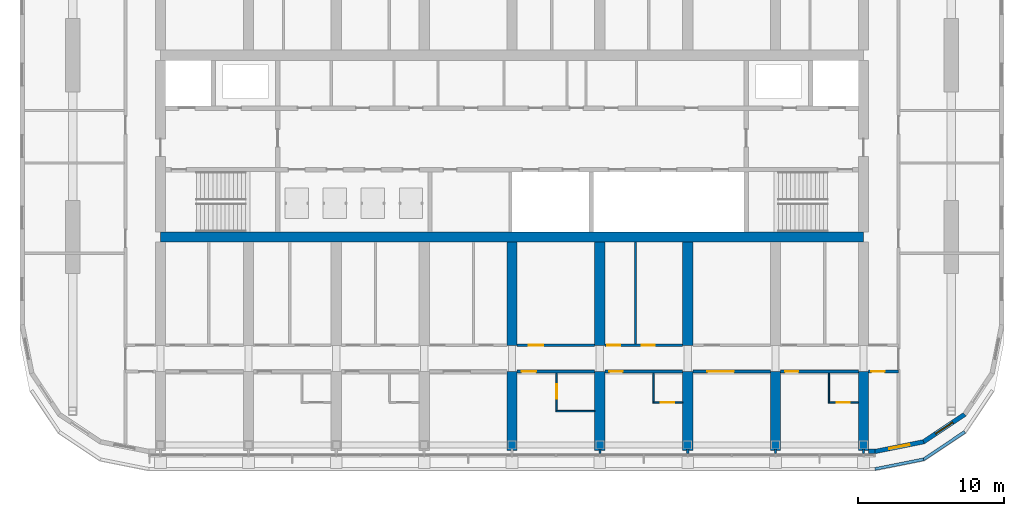
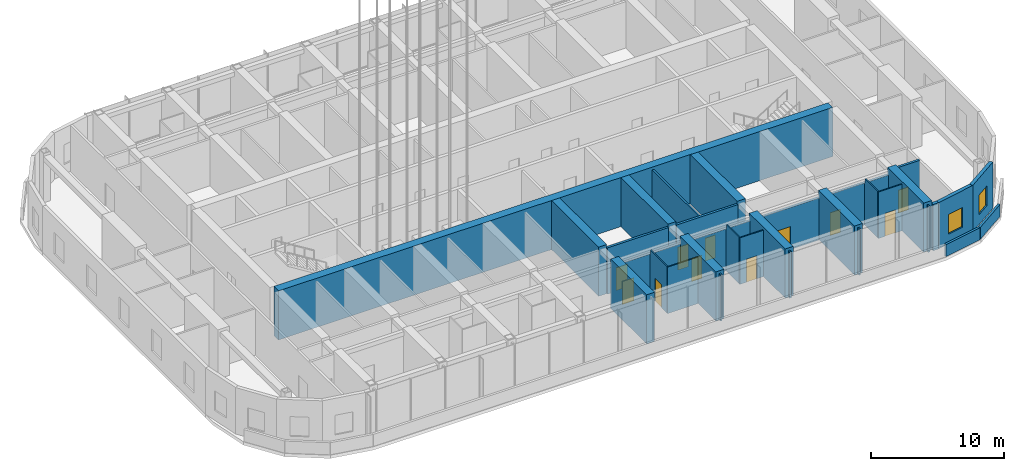
# One storey, part 16 of 35: 32 walls, 11 doors, 2 windows, 13 openings.
"""IFC4 building model written with IfcOpenShell, lengths in metres."""

from ifc_helpers import new_model, si_unit, direction, frame, frame_2d, origin, place, context, subcontext, project, spatial, polyline, rectangle, outline, extrude, material, layer, layer_set, type_object, element, fill, save


model = new_model("IFC4")

# Units and contexts
model_context = context("Model", 3, precision=1e-05, world=origin(), true_north=direction((0.0, 1.0)))
body_context = subcontext(model_context, "Body", "Model", "MODEL_VIEW")
ifc_project = project(units=[si_unit("LENGTHUNIT", "METRE"), si_unit("AREAUNIT", "SQUARE_METRE"), si_unit("VOLUMEUNIT", "CUBIC_METRE"), si_unit("PLANEANGLEUNIT", "RADIAN"), si_unit("MASSUNIT", "GRAM", prefix="KILO")], contexts=[model_context])

# Site, building, storey
site_placement = place(None, origin())
site = spatial("IfcSite", under=ifc_project, at=site_placement, CompositionType="ELEMENT")
building_placement = place(site_placement, origin())
building = spatial("IfcBuilding", under=site, at=building_placement, Name="Orbita Commons", CompositionType="ELEMENT")
storey_placement = place(building_placement, frame((0.0, 0.0, 208.300048828125)))
storey = spatial("IfcBuildingStorey", under=building, at=storey_placement, Name="L51", CompositionType="ELEMENT", Elevation=208.300048828125)

# Wall
ifc_material_1 = material(Name="Concrete C50/60", Category="concrete")
ifc_layer_1 = layer(ifc_material_1, 0.699951171875)
ifc_layer_set_1 = layer_set([ifc_layer_1], Name="Concrete C50/60")
wall_type_1 = type_object("IfcWallType", Name="Core wall 700 C50/60", PredefinedType="SHEAR", material=ifc_layer_set_1)
wall_1_placement = place(storey_placement, frame((18.0, 25.800048828125, 0.0), z_axis=(0.0, 0.0, 1.0), x_axis=(1.0, 0.0, 0.0)))
element("IfcWall", 1, at=wall_1_placement, inside=storey, type_object=wall_type_1, Name="Core spine wall south L51", PredefinedType="SHEAR", context=body_context, shape_type="SweptSolid", body=[
    extrude(rectangle(XDim=48.0, YDim=0.699951171875, at=frame_2d((24.0, 0.0))), origin(), (0.0, 0.0, 1.0), 4.5),
])

# Wall, opening, door
ifc_material_2 = material(Name="Concrete blockwork", Category="masonry")
ifc_layer_2 = layer(ifc_material_2, 0.199951171875)
ifc_layer_set_2 = layer_set([ifc_layer_2], Name="Concrete blockwork")
wall_type_2 = type_object("IfcWallType", Name="Corridor wall 200 blockwork", PredefinedType="SOLIDWALL", material=ifc_layer_set_2)
wall_2_placement = place(storey_placement, frame((42.35009765625, 16.60009765625, 0.0), z_axis=(0.0, 0.0, 1.0), x_axis=(1.0, 0.0, 0.0)))
wall_2 = element("IfcWall", 2, at=wall_2_placement, inside=storey, type_object=wall_type_2, Name="Corridor wall 200 blockwork L51", PredefinedType="SOLIDWALL", context=body_context, shape_type="SweptSolid", body=[
    extrude(outline(polyline([(0.0, 0.0), (5.2998046875, 0.0), (5.300048828125, 3.849853515625), (0.0, 3.849853515625), (0.0, 0.0)])), frame((0.0, 0.10009765625, 0.0), z_axis=(0.0, -1.0, 0.0), x_axis=(1.0, 0.0, 0.0)), (0.0, 0.0, 1.0), 0.199951171875),
])
opening_1_placement = place(wall_2_placement, frame((0.300048828125, 0.0, 0.0)))
opening_1 = element("IfcOpeningElement", 3, at=opening_1_placement, cuts=wall_2, Name="Opening D06", PredefinedType="OPENING", context=body_context, shape_type="SweptSolid", body=[
    extrude(rectangle(XDim=1.0, YDim=2.10009765625, at=frame_2d((0.5, 1.050048828125))), frame((0.0, 0.10986328125, 0.0), z_axis=(0.0, -1.0, 0.0), x_axis=(1.0, 0.0, 0.0)), (0.0, 0.0, 1.0), 0.219970703125),
])
ifc_material_3 = material(Name="Steel-faced fire door leaf", Category="steel")
door_type_1 = type_object("IfcDoorType", Name="Corridor door 20 min 1000x2100", OperationType="SINGLE_SWING_LEFT", PredefinedType="DOOR", material=ifc_material_3)
door_1_placement = place(opening_1_placement, origin())
door_1 = element("IfcDoor", 4, at=door_1_placement, inside=storey, type_object=door_type_1, Name="Accessible bedroom L51-SF5 door", OperationType="SINGLE_SWING_LEFT", OverallHeight=2.10009765625, OverallWidth=1.0, PredefinedType="DOOR", context=body_context, shape_type="SweptSolid", body=[
    extrude(rectangle(XDim=1.0, YDim=2.10009765625, at=frame_2d((0.5, 1.050048828125))), frame((0.0, 0.02490234375, 0.0), z_axis=(0.0, -1.0, 0.0), x_axis=(1.0, 0.0, 0.0)), (0.0, 0.0, 1.0), 0.050048828125),
])
fill(opening_1, door_1)

wall_3_placement = place(storey_placement, frame((48.35009765625, 16.60009765625, 0.0), z_axis=(0.0, 0.0, 1.0), x_axis=(1.0, 0.0, 0.0)))
wall_3 = element("IfcWall", 5, at=wall_3_placement, inside=storey, type_object=wall_type_2, Name="Corridor wall 200 blockwork L51", PredefinedType="SOLIDWALL", context=body_context, shape_type="SweptSolid", body=[
    extrude(outline(polyline([(0.0, 0.0), (5.2998046875, 0.0), (5.300048828125, 3.849853515625), (0.0, 3.849853515625), (0.0, 0.0)])), frame((0.0, 0.10009765625, 0.0), z_axis=(0.0, -1.0, 0.0), x_axis=(1.0, 0.0, 0.0)), (0.0, 0.0, 1.0), 0.199951171875),
])
opening_2_placement = place(wall_3_placement, frame((0.300048828125, 0.0, 0.0)))
opening_2 = element("IfcOpeningElement", 6, at=opening_2_placement, cuts=wall_3, Name="Opening D11", PredefinedType="OPENING", context=body_context, shape_type="SweptSolid", body=[
    extrude(rectangle(XDim=0.89990234375, YDim=2.10009765625, at=frame_2d((0.449951171875, 1.050048828125))), frame((0.0, 0.10986328125, 0.0), z_axis=(0.0, -1.0, 0.0), x_axis=(1.0, 0.0, 0.0)), (0.0, 0.0, 1.0), 0.219970703125),
])
ifc_material_4 = material(Name="Steel-faced fire door leaf", Category="steel")
door_type_2 = type_object("IfcDoorType", Name="Corridor door 20 min 900x2100", OperationType="SINGLE_SWING_LEFT", PredefinedType="DOOR", material=ifc_material_4)
door_2_placement = place(opening_2_placement, origin())
door_2 = element("IfcDoor", 7, at=door_2_placement, inside=storey, type_object=door_type_2, Name="Guest studio with kitchenette L51-SF6 door", OperationType="SINGLE_SWING_LEFT", OverallHeight=2.10009765625, OverallWidth=0.89990234375, PredefinedType="DOOR", context=body_context, shape_type="SweptSolid", body=[
    extrude(rectangle(XDim=0.89990234375, YDim=2.10009765625, at=frame_2d((0.449951171875, 1.050048828125))), frame((0.0, 0.02490234375, 0.0), z_axis=(0.0, -1.0, 0.0), x_axis=(1.0, 0.0, 0.0)), (0.0, 0.0, 1.0), 0.050048828125),
])
fill(opening_2, door_2)

wall_4_placement = place(storey_placement, frame((54.35009765625, 16.60009765625, 0.0), z_axis=(0.0, 0.0, 1.0), x_axis=(1.0, 0.0, 0.0)))
wall_4 = element("IfcWall", 8, at=wall_4_placement, inside=storey, type_object=wall_type_2, Name="Corridor wall 200 blockwork L51", PredefinedType="SOLIDWALL", context=body_context, shape_type="SweptSolid", body=[
    extrude(outline(polyline([(0.0, 0.0), (5.2998046875, 0.0), (5.300048828125, 3.849853515625), (0.0, 3.849853515625), (0.0, 0.0)])), frame((0.0, 0.10009765625, 0.0), z_axis=(0.0, -1.0, 0.0), x_axis=(1.0, 0.0, 0.0)), (0.0, 0.0, 1.0), 0.199951171875),
])
opening_3_placement = place(wall_4_placement, frame((1.0, 0.0, 0.0)))
opening_3 = element("IfcOpeningElement", 9, at=opening_3_placement, cuts=wall_4, Name="Opening D07", PredefinedType="OPENING", context=body_context, shape_type="SweptSolid", body=[
    extrude(rectangle(XDim=1.800048828125, YDim=2.10009765625, at=frame_2d((0.89990234375, 1.050048828125))), frame((0.0, 0.10986328125, 0.0), z_axis=(0.0, -1.0, 0.0), x_axis=(1.0, 0.0, 0.0)), (0.0, 0.0, 1.0), 0.219970703125),
])
ifc_material_5 = material(Name="Steel-faced fire door leaf", Category="steel")
door_type_3 = type_object("IfcDoorType", Name="Double corridor door 20 min 1800x2100", OperationType="DOUBLE_DOOR_SINGLE_SWING", PredefinedType="DOOR", material=ifc_material_5)
door_3_placement = place(opening_3_placement, origin())
door_3 = element("IfcDoor", 10, at=door_3_placement, inside=storey, type_object=door_type_3, Name="Board room L51-SF7 doors", OperationType="DOUBLE_DOOR_SINGLE_SWING", OverallHeight=2.10009765625, OverallWidth=1.800048828125, PredefinedType="DOOR", context=body_context, shape_type="SweptSolid", body=[
    extrude(rectangle(XDim=1.800048828125, YDim=2.10009765625, at=frame_2d((0.89990234375, 1.050048828125))), frame((0.0, 0.02490234375, 0.0), z_axis=(0.0, -1.0, 0.0), x_axis=(1.0, 0.0, 0.0)), (0.0, 0.0, 1.0), 0.050048828125),
])
fill(opening_3, door_3)

wall_5_placement = place(storey_placement, frame((60.35009765625, 16.60009765625, 0.0), z_axis=(0.0, 0.0, 1.0), x_axis=(1.0, 0.0, 0.0)))
wall_5 = element("IfcWall", 11, at=wall_5_placement, inside=storey, type_object=wall_type_2, Name="Corridor wall 200 blockwork L51", PredefinedType="SOLIDWALL", context=body_context, shape_type="SweptSolid", body=[
    extrude(outline(polyline([(0.0, 0.0), (5.2998046875, 0.0), (5.300048828125, 3.849853515625), (0.0, 3.849853515625), (0.0, 0.0)])), frame((0.0, 0.10009765625, 0.0), z_axis=(0.0, -1.0, 0.0), x_axis=(1.0, 0.0, 0.0)), (0.0, 0.0, 1.0), 0.199951171875),
])
opening_4_placement = place(wall_5_placement, frame((0.300048828125, 0.0, 0.0)))
opening_4 = element("IfcOpeningElement", 12, at=opening_4_placement, cuts=wall_5, Name="Opening D11", PredefinedType="OPENING", context=body_context, shape_type="SweptSolid", body=[
    extrude(rectangle(XDim=0.89990234375, YDim=2.10009765625, at=frame_2d((0.449951171875, 1.050048828125))), frame((0.0, 0.10986328125, 0.0), z_axis=(0.0, -1.0, 0.0), x_axis=(1.0, 0.0, 0.0)), (0.0, 0.0, 1.0), 0.219970703125),
])
door_4_placement = place(opening_4_placement, origin())
door_4 = element("IfcDoor", 13, at=door_4_placement, inside=storey, type_object=door_type_2, Name="Guest studio with kitchenette L51-SF8 door", OperationType="SINGLE_SWING_LEFT", OverallHeight=2.10009765625, OverallWidth=0.89990234375, PredefinedType="DOOR", context=body_context, shape_type="SweptSolid", body=[
    extrude(rectangle(XDim=0.89990234375, YDim=2.10009765625, at=frame_2d((0.449951171875, 1.050048828125))), frame((0.0, 0.02490234375, 0.0), z_axis=(0.0, -1.0, 0.0), x_axis=(1.0, 0.0, 0.0)), (0.0, 0.0, 1.0), 0.050048828125),
])
fill(opening_4, door_4)

wall_6_placement = place(storey_placement, frame((66.35009765625, 16.60009765625, 0.0), z_axis=(0.0, 0.0, 1.0), x_axis=(1.0, 0.0, 0.0)))
wall_6 = element("IfcWall", 14, at=wall_6_placement, inside=storey, type_object=wall_type_2, Name="Corridor wall 200 blockwork L51", PredefinedType="SOLIDWALL", context=body_context, shape_type="SweptSolid", body=[
    extrude(rectangle(XDim=2.0498046875, YDim=0.199951171875, at=frame_2d((1.02490234375, 0.0))), origin(), (0.0, 0.0, 1.0), 4.25),
])
opening_5_placement = place(wall_6_placement, frame((0.199951171875, 0.0, 0.0)))
opening_5 = element("IfcOpeningElement", 15, at=opening_5_placement, cuts=wall_6, Name="Opening D05", PredefinedType="OPENING", context=body_context, shape_type="SweptSolid", body=[
    extrude(rectangle(XDim=0.89990234375, YDim=2.10009765625, at=frame_2d((0.449951171875, 1.050048828125))), frame((0.0, 0.10986328125, 0.0), z_axis=(0.0, -1.0, 0.0), x_axis=(1.0, 0.0, 0.0)), (0.0, 0.0, 1.0), 0.219970703125),
])
ifc_material_6 = material(Name="Steel-faced fire door leaf", Category="steel")
door_type_4 = type_object("IfcDoorType", Name="Service door 20 min 900x2100", OperationType="SINGLE_SWING_LEFT", PredefinedType="DOOR", material=ifc_material_6)
door_5_placement = place(opening_5_placement, origin())
door_5 = element("IfcDoor", 16, at=door_5_placement, inside=storey, type_object=door_type_4, Name="Linen store L51-KES door", OperationType="SINGLE_SWING_LEFT", OverallHeight=2.10009765625, OverallWidth=0.89990234375, PredefinedType="DOOR", context=body_context, shape_type="SweptSolid", body=[
    extrude(rectangle(XDim=0.89990234375, YDim=2.10009765625, at=frame_2d((0.449951171875, 1.050048828125))), frame((0.0, 0.02490234375, 0.0), z_axis=(0.0, -1.0, 0.0), x_axis=(1.0, 0.0, 0.0)), (0.0, 0.0, 1.0), 0.050048828125),
])
fill(opening_5, door_5)

ifc_material_7 = material(Name="Hollow concrete block 200", Category="concrete")
ifc_layer_3 = layer(ifc_material_7, 0.199951171875)
ifc_layer_set_3 = layer_set([ifc_layer_3], Name="Hollow concrete block 200")
wall_type_3 = type_object("IfcWallType", Name="Corridor wall 200 hollow concrete block", PredefinedType="SOLIDWALL", material=ifc_layer_set_3)
wall_7_placement = place(storey_placement, frame((42.35009765625, 18.39990234375, 0.0), z_axis=(0.0, 0.0, 1.0), x_axis=(1.0, 0.0, 0.0)))
wall_7 = element("IfcWall", 17, at=wall_7_placement, inside=storey, type_object=wall_type_3, Name="Corridor wall 200 hollow concrete block L51", PredefinedType="SOLIDWALL", context=body_context, shape_type="SweptSolid", body=[
    extrude(rectangle(XDim=5.2998046875, YDim=0.199951171875, at=frame_2d((2.64990234375, 0.0))), origin(), (0.0, 0.0, 1.0), 4.25),
])
opening_6_placement = place(wall_7_placement, frame((0.800048828125, 0.0, 0.0)))
opening_6 = element("IfcOpeningElement", 18, at=opening_6_placement, cuts=wall_7, Name="Opening D06", PredefinedType="OPENING", context=body_context, shape_type="SweptSolid", body=[
    extrude(rectangle(XDim=1.0, YDim=2.10009765625, at=frame_2d((0.5, 1.050048828125))), frame((0.0, 0.10986328125, 0.0), z_axis=(0.0, -1.0, 0.0), x_axis=(1.0, 0.0, 0.0)), (0.0, 0.0, 1.0), 0.219970703125),
])
door_6_placement = place(opening_6_placement, origin())
door_6 = element("IfcDoor", 19, at=door_6_placement, inside=storey, type_object=door_type_1, Name="Ventilation plant room L51-BDS42 door", OperationType="SINGLE_SWING_LEFT", OverallHeight=2.10009765625, OverallWidth=1.0, PredefinedType="DOOR", context=body_context, shape_type="SweptSolid", body=[
    extrude(rectangle(XDim=1.0, YDim=2.10009765625, at=frame_2d((0.5, 1.050048828125))), frame((0.0, 0.02490234375, 0.0), z_axis=(0.0, -1.0, 0.0), x_axis=(1.0, 0.0, 0.0)), (0.0, 0.0, 1.0), 0.050048828125),
])
fill(opening_6, door_6)

# Wall, openings, doors
wall_8_placement = place(storey_placement, frame((48.35009765625, 18.39990234375, 0.0), z_axis=(0.0, 0.0, 1.0), x_axis=(1.0, 0.0, 0.0)))
wall_8 = element("IfcWall", 20, at=wall_8_placement, inside=storey, type_object=wall_type_3, Name="Corridor wall 200 hollow concrete block L51", PredefinedType="SOLIDWALL", context=body_context, shape_type="SweptSolid", body=[
    extrude(rectangle(XDim=5.2998046875, YDim=0.199951171875, at=frame_2d((2.64990234375, 0.0))), origin(), (0.0, 0.0, 1.0), 4.25),
])
opening_7_placement = place(wall_8_placement, frame((0.14990234375, 0.0, 0.0)))
opening_7 = element("IfcOpeningElement", 21, at=opening_7_placement, cuts=wall_8, Name="Opening D11", PredefinedType="OPENING", context=body_context, shape_type="SweptSolid", body=[
    extrude(rectangle(XDim=0.89990234375, YDim=2.10009765625, at=frame_2d((0.449951171875, 1.050048828125))), frame((0.0, 0.10986328125, 0.0), z_axis=(0.0, -1.0, 0.0), x_axis=(1.0, 0.0, 0.0)), (0.0, 0.0, 1.0), 0.219970703125),
])
opening_8_placement = place(wall_8_placement, frame((2.510009765625, 0.0, 0.0)))
opening_8 = element("IfcOpeningElement", 22, at=opening_8_placement, cuts=wall_8, Name="Opening D11", PredefinedType="OPENING", context=body_context, shape_type="SweptSolid", body=[
    extrude(rectangle(XDim=0.89990234375, YDim=2.10009765625, at=frame_2d((0.449951171875, 1.050048828125))), frame((0.0, 0.10986328125, 0.0), z_axis=(0.0, -1.0, 0.0), x_axis=(1.0, 0.0, 0.0)), (0.0, 0.0, 1.0), 0.219970703125),
])
door_7_placement = place(opening_7_placement, origin())
door_7 = element("IfcDoor", 23, at=door_7_placement, inside=storey, type_object=door_type_2, Name="Water heater cupboard L51-BDS48n door", OperationType="SINGLE_SWING_LEFT", OverallHeight=2.10009765625, OverallWidth=0.89990234375, PredefinedType="DOOR", context=body_context, shape_type="SweptSolid", body=[
    extrude(rectangle(XDim=0.89990234375, YDim=2.10009765625, at=frame_2d((0.449951171875, 1.050048828125))), frame((0.0, 0.02490234375, 0.0), z_axis=(0.0, -1.0, 0.0), x_axis=(1.0, 0.0, 0.0)), (0.0, 0.0, 1.0), 0.050048828125),
])
fill(opening_7, door_7)
door_8_placement = place(opening_8_placement, origin())
door_8 = element("IfcDoor", 24, at=door_8_placement, inside=storey, type_object=door_type_2, Name="Cleaners store L51-BDS48 door", OperationType="SINGLE_SWING_LEFT", OverallHeight=2.10009765625, OverallWidth=0.89990234375, PredefinedType="DOOR", context=body_context, shape_type="SweptSolid", body=[
    extrude(rectangle(XDim=0.89990234375, YDim=2.10009765625, at=frame_2d((0.449951171875, 1.050048828125))), frame((0.0, 0.02490234375, 0.0), z_axis=(0.0, -1.0, 0.0), x_axis=(1.0, 0.0, 0.0)), (0.0, 0.0, 1.0), 0.050048828125),
])
fill(opening_8, door_8)

# Walls
ifc_material_8 = material(Name="Concrete C50/60", Category="concrete")
ifc_layer_4 = layer(ifc_material_8, 0.699951171875)
ifc_layer_set_4 = layer_set([ifc_layer_4], Name="Concrete C50/60")
wall_type_4 = type_object("IfcWallType", Name="Cross wall 700 C50/60", PredefinedType="SHEAR", material=ifc_layer_set_4)
wall_9_placement = place(storey_placement, frame((42.0, 11.199951171875, 0.0), z_axis=(0.0, 0.0, 1.0), x_axis=(0.0, 1.0, 0.0)))
element("IfcWall", 25, at=wall_9_placement, inside=storey, type_object=wall_type_4, Name="Cross wall 8 south outer L51", PredefinedType="SHEAR", context=body_context, shape_type="SweptSolid", body=[
    extrude(rectangle(XDim=5.400146484375, YDim=0.699951171875, at=frame_2d((2.7001953125, 0.0))), origin(), (0.0, 0.0, 1.0), 4.5),
])
wall_10_placement = place(storey_placement, frame((42.0, 18.39990234375, 0.0), z_axis=(0.0, 0.0, 1.0), x_axis=(0.0, 1.0, 0.0)))
element("IfcWall", 26, at=wall_10_placement, inside=storey, type_object=wall_type_4, Name="Cross wall 8 south inner L51", PredefinedType="SHEAR", context=body_context, shape_type="SweptSolid", body=[
    extrude(rectangle(XDim=7.050048828125, YDim=0.699951171875, at=frame_2d((3.52490234375, 0.0))), origin(), (0.0, 0.0, 1.0), 4.5),
])
wall_11_placement = place(storey_placement, frame((48.0, 11.199951171875, 0.0), z_axis=(0.0, 0.0, 1.0), x_axis=(0.0, 1.0, 0.0)))
element("IfcWall", 27, at=wall_11_placement, inside=storey, type_object=wall_type_4, Name="Cross wall 9 south outer L51", PredefinedType="SHEAR", context=body_context, shape_type="SweptSolid", body=[
    extrude(rectangle(XDim=5.400146484375, YDim=0.699951171875, at=frame_2d((2.7001953125, 0.0))), origin(), (0.0, 0.0, 1.0), 4.5),
])
wall_12_placement = place(storey_placement, frame((48.0, 18.39990234375, 0.0), z_axis=(0.0, 0.0, 1.0), x_axis=(0.0, 1.0, 0.0)))
element("IfcWall", 28, at=wall_12_placement, inside=storey, type_object=wall_type_4, Name="Cross wall 9 south inner L51", PredefinedType="SHEAR", context=body_context, shape_type="SweptSolid", body=[
    extrude(rectangle(XDim=7.050048828125, YDim=0.699951171875, at=frame_2d((3.52490234375, 0.0))), origin(), (0.0, 0.0, 1.0), 4.5),
])
wall_13_placement = place(storey_placement, frame((54.0, 11.199951171875, 0.0), z_axis=(0.0, 0.0, 1.0), x_axis=(0.0, 1.0, 0.0)))
element("IfcWall", 29, at=wall_13_placement, inside=storey, type_object=wall_type_4, Name="Cross wall 10 south outer L51", PredefinedType="SHEAR", context=body_context, shape_type="SweptSolid", body=[
    extrude(rectangle(XDim=5.400146484375, YDim=0.699951171875, at=frame_2d((2.7001953125, 0.0))), origin(), (0.0, 0.0, 1.0), 4.5),
])
wall_14_placement = place(storey_placement, frame((54.0, 18.39990234375, 0.0), z_axis=(0.0, 0.0, 1.0), x_axis=(0.0, 1.0, 0.0)))
element("IfcWall", 30, at=wall_14_placement, inside=storey, type_object=wall_type_4, Name="Cross wall 10 south inner L51", PredefinedType="SHEAR", context=body_context, shape_type="SweptSolid", body=[
    extrude(rectangle(XDim=7.050048828125, YDim=0.699951171875, at=frame_2d((3.52490234375, 0.0))), origin(), (0.0, 0.0, 1.0), 4.5),
])
for number, where, z_axis, x_axis, name in (
    (31, (60.0, 11.199951171875, 0.0), (0.0, 0.0, 1.0), (0.0, 1.0, 0.0), "Cross wall 11 south outer L51"),
    (32, (66.0, 11.199951171875, 0.0), (0.0, 0.0, 1.0), (0.0, 1.0, 0.0), "Cross wall 12 south outer L51"),
):
    element("IfcWall", number, at=place(storey_placement, frame(where, z_axis=z_axis, x_axis=x_axis)), inside=storey, type_object=wall_type_4, Name=name, PredefinedType="SHEAR", context=body_context, shape_type="SweptSolid", body=[
        extrude(rectangle(XDim=5.400146484375, YDim=0.699951171875, at=frame_2d((2.7001953125, 0.0))), origin(), (0.0, 0.0, 1.0), 4.5),
    ])
ifc_material_9 = material(Name="Moisture-resistant plasterboard on steel studs", Category="steel")
ifc_layer_5 = layer(ifc_material_9, 0.10009765625)
ifc_layer_set_5 = layer_set([ifc_layer_5], Name="Moisture-resistant plasterboard on steel studs")
wall_type_5 = type_object("IfcWallType", Name="En-suite partition 100", PredefinedType="PARTITIONING", material=ifc_layer_set_5)
wall_15_placement = place(storey_placement, frame((45.0, 13.89990234375, 0.0), z_axis=(0.0, 0.0, 1.0), x_axis=(1.0, 0.0, 0.0)))
element("IfcWall", 33, at=wall_15_placement, inside=storey, type_object=wall_type_5, Name="En-suite partition 100 L51", PredefinedType="PARTITIONING", context=body_context, shape_type="SweptSolid", body=[
    extrude(rectangle(XDim=2.64990234375, YDim=0.10009765625, at=frame_2d((1.324951171875, 0.0))), origin(), (0.0, 0.0, 1.0), 4.25),
])

# Wall, opening, door
wall_16_placement = place(storey_placement, frame((45.050048828125, 13.949951171875, 0.0), z_axis=(0.0, 0.0, 1.0), x_axis=(0.0, 1.0, 0.0)))
wall_16 = element("IfcWall", 34, at=wall_16_placement, inside=storey, type_object=wall_type_5, Name="En-suite partition 100 L51", PredefinedType="PARTITIONING", context=body_context, shape_type="SweptSolid", body=[
    extrude(outline(polyline([(0.0, 0.0), (2.550048828125, 0.0), (2.550048828125, 3.849853515625), (2.501953125, 3.849853515625), (2.5, 4.25), (0.0, 4.25), (0.0, 0.0)])), frame((0.0, 0.050048828125, 0.0), z_axis=(0.0, -1.0, 0.0), x_axis=(1.0, 0.0, 0.0)), (0.0, 0.0, 1.0), 0.10009765625),
])
opening_9_placement = place(wall_16_placement, frame((0.800048828125, 0.0, 0.0)))
opening_9 = element("IfcOpeningElement", 35, at=opening_9_placement, cuts=wall_16, Name="Opening D13", PredefinedType="OPENING", context=body_context, shape_type="SweptSolid", body=[
    extrude(rectangle(XDim=1.0, YDim=2.10009765625, at=frame_2d((0.5, 1.050048828125))), frame((0.0, 0.06005859375, 0.0), z_axis=(0.0, -1.0, 0.0), x_axis=(1.0, 0.0, 0.0)), (0.0, 0.0, 1.0), 0.1201171875),
])
ifc_material_10 = material(Name="Laminated timber door leaf", Category="wood")
door_type_5 = type_object("IfcDoorType", Name="En-suite door 1000x2100", OperationType="SINGLE_SWING_RIGHT", PredefinedType="DOOR", material=ifc_material_10)
door_9_placement = place(opening_9_placement, origin())
door_9 = element("IfcDoor", 36, at=door_9_placement, inside=storey, type_object=door_type_5, Name="Accessible shower room L51-SF5 door", OperationType="SINGLE_SWING_RIGHT", OverallHeight=2.10009765625, OverallWidth=1.0, PredefinedType="DOOR", context=body_context, shape_type="SweptSolid", body=[
    extrude(rectangle(XDim=1.0, YDim=2.10009765625, at=frame_2d((0.5, 1.050048828125))), frame((0.0, 0.02490234375, 0.0), z_axis=(0.0, -1.0, 0.0), x_axis=(1.0, 0.0, 0.0)), (0.0, 0.0, 1.0), 0.050048828125),
])
fill(opening_9, door_9)

wall_17_placement = place(storey_placement, frame((53.64990234375, 14.5, 0.0), z_axis=(0.0, 0.0, 1.0), x_axis=(-1.0, 0.0, 0.0)))
wall_17 = element("IfcWall", 37, at=wall_17_placement, inside=storey, type_object=wall_type_5, Name="En-suite partition 100 L51", PredefinedType="PARTITIONING", context=body_context, shape_type="SweptSolid", body=[
    extrude(rectangle(XDim=2.0498046875, YDim=0.10009765625, at=frame_2d((1.02490234375, 0.0))), origin(), (0.0, 0.0, 1.0), 4.25),
])
opening_10_placement = place(wall_17_placement, frame((0.574951171875, 0.0, 0.0)))
opening_10 = element("IfcOpeningElement", 38, at=opening_10_placement, cuts=wall_17, Name="Opening D09", PredefinedType="OPENING", context=body_context, shape_type="SweptSolid", body=[
    extrude(rectangle(XDim=0.89990234375, YDim=2.10009765625, at=frame_2d((0.449951171875, 1.050048828125))), frame((0.0, 0.06005859375, 0.0), z_axis=(0.0, -1.0, 0.0), x_axis=(1.0, 0.0, 0.0)), (0.0, 0.0, 1.0), 0.1201171875),
])
ifc_material_11 = material(Name="Laminated timber door leaf", Category="wood")
door_type_6 = type_object("IfcDoorType", Name="En-suite door 900x2100", OperationType="SINGLE_SWING_RIGHT", PredefinedType="DOOR", material=ifc_material_11)
door_10_placement = place(opening_10_placement, origin())
door_10 = element("IfcDoor", 39, at=door_10_placement, inside=storey, type_object=door_type_6, Name="En-suite L51-SF6 door", OperationType="SINGLE_SWING_RIGHT", OverallHeight=2.10009765625, OverallWidth=0.89990234375, PredefinedType="DOOR", context=body_context, shape_type="SweptSolid", body=[
    extrude(rectangle(XDim=0.89990234375, YDim=2.10009765625, at=frame_2d((0.449951171875, 1.050048828125))), frame((0.0, 0.02490234375, 0.0), z_axis=(0.0, -1.0, 0.0), x_axis=(1.0, 0.0, 0.0)), (0.0, 0.0, 1.0), 0.050048828125),
])
fill(opening_10, door_10)

# Wall
wall_18_placement = place(storey_placement, frame((51.64990234375, 14.550048828125, 0.0), z_axis=(0.0, 0.0, 1.0), x_axis=(0.0, 1.0, 0.0)))
element("IfcWall", 40, at=wall_18_placement, inside=storey, type_object=wall_type_5, Name="En-suite partition 100 L51", PredefinedType="PARTITIONING", context=body_context, shape_type="SweptSolid", body=[
    extrude(outline(polyline([(0.0, 0.0), (1.949951171875, 0.0), (1.949951171875, 3.849853515625), (1.902099609375, 3.849853515625), (1.89990234375, 4.25), (0.0, 4.25), (0.0, 0.0)])), frame((0.0, 0.050048828125, 0.0), z_axis=(0.0, -1.0, 0.0), x_axis=(1.0, 0.0, 0.0)), (0.0, 0.0, 1.0), 0.10009765625),
])

# Wall, opening, door
wall_19_placement = place(storey_placement, frame((65.64990234375, 14.5, 0.0), z_axis=(0.0, 0.0, 1.0), x_axis=(-1.0, 0.0, 0.0)))
wall_19 = element("IfcWall", 41, at=wall_19_placement, inside=storey, type_object=wall_type_5, Name="En-suite partition 100 L51", PredefinedType="PARTITIONING", context=body_context, shape_type="SweptSolid", body=[
    extrude(rectangle(XDim=2.0498046875, YDim=0.10009765625, at=frame_2d((1.02490234375, 0.0))), origin(), (0.0, 0.0, 1.0), 4.25),
])
opening_11_placement = place(wall_19_placement, frame((0.574951171875, 0.0, 0.0)))
opening_11 = element("IfcOpeningElement", 42, at=opening_11_placement, cuts=wall_19, Name="Opening D09", PredefinedType="OPENING", context=body_context, shape_type="SweptSolid", body=[
    extrude(rectangle(XDim=0.89990234375, YDim=2.10009765625, at=frame_2d((0.449951171875, 1.050048828125))), frame((0.0, 0.06005859375, 0.0), z_axis=(0.0, -1.0, 0.0), x_axis=(1.0, 0.0, 0.0)), (0.0, 0.0, 1.0), 0.1201171875),
])
door_11_placement = place(opening_11_placement, origin())
door_11 = element("IfcDoor", 43, at=door_11_placement, inside=storey, type_object=door_type_6, Name="En-suite L51-SF8 door", OperationType="SINGLE_SWING_RIGHT", OverallHeight=2.10009765625, OverallWidth=0.89990234375, PredefinedType="DOOR", context=body_context, shape_type="SweptSolid", body=[
    extrude(rectangle(XDim=0.89990234375, YDim=2.10009765625, at=frame_2d((0.449951171875, 1.050048828125))), frame((0.0, 0.02490234375, 0.0), z_axis=(0.0, -1.0, 0.0), x_axis=(1.0, 0.0, 0.0)), (0.0, 0.0, 1.0), 0.050048828125),
])
fill(opening_11, door_11)

# Walls
wall_20_placement = place(storey_placement, frame((63.64990234375, 14.550048828125, 0.0), z_axis=(0.0, 0.0, 1.0), x_axis=(0.0, 1.0, 0.0)))
element("IfcWall", 44, at=wall_20_placement, inside=storey, type_object=wall_type_5, Name="En-suite partition 100 L51", PredefinedType="PARTITIONING", context=body_context, shape_type="SweptSolid", body=[
    extrude(outline(polyline([(0.0, 0.0), (1.949951171875, 0.0), (1.949951171875, 3.849853515625), (1.902099609375, 3.849853515625), (1.89990234375, 4.25), (0.0, 4.25), (0.0, 0.0)])), frame((0.0, 0.050048828125, 0.0), z_axis=(0.0, -1.0, 0.0), x_axis=(1.0, 0.0, 0.0)), (0.0, 0.0, 1.0), 0.10009765625),
])
ifc_material_12 = material(Name="Gypsum plasterboard on steel studs", Category="steel")
ifc_layer_6 = layer(ifc_material_12, 0.14990234375)
ifc_layer_set_6 = layer_set([ifc_layer_6], Name="Gypsum plasterboard on steel studs")
wall_type_6 = type_object("IfcWallType", Name="Partition 150 plasterboard", PredefinedType="PARTITIONING", material=ifc_layer_set_6)
wall_21_placement = place(storey_placement, frame((50.43505859375, 18.5, 0.0), z_axis=(0.0, 0.0, 1.0), x_axis=(0.0, 1.0, 0.0)))
element("IfcWall", 45, at=wall_21_placement, inside=storey, type_object=wall_type_6, Name="Partition 150 plasterboard L51", PredefinedType="PARTITIONING", context=body_context, shape_type="SweptSolid", body=[
    extrude(rectangle(XDim=6.949951171875, YDim=0.14990234375, at=frame_2d((3.47509765625, 0.0))), origin(), (0.0, 0.0, 1.0), 4.25),
])
for number, where, z_axis, x_axis, name in (
    (46, (48.0, 11.300048828125, 0.0), (0.0, 0.0, 1.0), (0.0, -1.0, 0.0), "Partition 150 plasterboard L51"),
    (47, (54.0, 11.300048828125, 0.0), (0.0, 0.0, 1.0), (0.0, -1.0, 0.0), "Partition 150 plasterboard L51"),
    (48, (60.0, 11.300048828125, 0.0), (0.0, 0.0, 1.0), (0.0, -1.0, 0.0), "Partition 150 plasterboard L51"),
    (49, (66.0, 11.300048828125, 0.0), (0.0, 0.0, 1.0), (0.0, -1.0, 0.0), "Partition 150 plasterboard L51"),
):
    element("IfcWall", number, at=place(storey_placement, frame(where, z_axis=z_axis, x_axis=x_axis)), inside=storey, type_object=wall_type_6, Name=name, PredefinedType="PARTITIONING", context=body_context, shape_type="SweptSolid", body=[
        extrude(rectangle(XDim=0.2900390625, YDim=0.14990234375, at=frame_2d((0.14501953125, 0.0))), origin(), (0.0, 0.0, 1.0), 4.25),
    ])

# Wall, opening, window
ifc_material_13 = material(Name="Precast concrete C40/50, white board-marked finish", Category="concrete")
ifc_layer_7 = layer(ifc_material_13, 0.300048828125)
ifc_layer_set_7 = layer_set([ifc_layer_7], Name="Precast concrete C40/50, white board-marked finish")
wall_type_7 = type_object("IfcWallType", Name="Precast concrete end shield 300", PredefinedType="SOLIDWALL", material=ifc_layer_set_7)
wall_22_placement = place(storey_placement, frame((66.800048828125, 11.14990234375, 0.0), z_axis=(0.0, 0.0, 1.0), x_axis=(0.98078325777, 0.195100490205, 0.0)))
wall_22 = element("IfcWall", 50, at=wall_22_placement, inside=storey, type_object=wall_type_7, Name="End shield SE chord 1 L51", PredefinedType="SOLIDWALL", context=body_context, shape_type="SweptSolid", body=[
    extrude(outline(polyline([(-0.02978515625, -0.14990234375), (3.40478515625, -0.14990234375), (3.34521484375, 0.14990234375), (0.02978515625, 0.14990234375), (-0.02978515625, -0.14990234375)])), origin(), (0.0, 0.0, 1.0), 4.25),
])
opening_12_placement = place(wall_22_placement, frame((0.987548828125, 0.0, 0.89990234375)))
opening_12 = element("IfcOpeningElement", 51, at=opening_12_placement, cuts=wall_22, Name="Opening W02", PredefinedType="OPENING", context=body_context, shape_type="SweptSolid", body=[
    extrude(rectangle(XDim=1.39990234375, YDim=1.800048828125, at=frame_2d((0.699951171875, 0.89990234375))), frame((0.0, 0.159912109375, 0.0), z_axis=(0.0, -1.0, 0.0), x_axis=(1.0, 0.0, 0.0)), (0.0, 0.0, 1.0), 0.320068359375),
])
ifc_material_14 = material(Name="Aluminium frame, clear double glazing", Category="aluminium")
window_type = type_object("IfcWindowType", Name="Deep-set window 1400x1800", PartitioningType="SINGLE_PANEL", PredefinedType="WINDOW", material=ifc_material_14)
window_1_placement = place(opening_12_placement, origin())
window_1 = element("IfcWindow", 52, at=window_1_placement, inside=storey, type_object=window_type, Name="Window L51-SE0", OverallHeight=1.800048828125, OverallWidth=1.39990234375, PartitioningType="SINGLE_PANEL", PredefinedType="WINDOW", context=body_context, shape_type="SweptSolid", body=[
    extrude(rectangle(XDim=1.39990234375, YDim=1.800048828125, at=frame_2d((0.699951171875, 0.89990234375))), frame((0.0, 0.030029296875, 0.0), z_axis=(0.0, -1.0, 0.0), x_axis=(1.0, 0.0, 0.0)), (0.0, 0.0, 1.0), 0.06005859375),
])
fill(opening_12, window_1)

wall_23_placement = place(storey_placement, frame((70.110107421875, 11.808349609375, 0.0), z_axis=(0.0, 0.0, 1.0), x_axis=(0.831460037396, 0.555584562613, 0.0)))
wall_23 = element("IfcWall", 53, at=wall_23_placement, inside=storey, type_object=wall_type_7, Name="End shield SE chord 2 L51", PredefinedType="SOLIDWALL", context=body_context, shape_type="SweptSolid", body=[
    extrude(outline(polyline([(-0.02978515625, -0.14990234375), (3.405029296875, -0.14990234375), (3.345458984375, 0.14990234375), (0.02978515625, 0.14990234375), (-0.02978515625, -0.14990234375)])), origin(), (0.0, 0.0, 1.0), 4.25),
])
opening_13_placement = place(wall_23_placement, frame((0.987548828125, 0.0, 0.89990234375)))
opening_13 = element("IfcOpeningElement", 54, at=opening_13_placement, cuts=wall_23, Name="Opening W02", PredefinedType="OPENING", context=body_context, shape_type="SweptSolid", body=[
    extrude(rectangle(XDim=1.39990234375, YDim=1.800048828125, at=frame_2d((0.699951171875, 0.89990234375))), frame((0.0, 0.159912109375, 0.0), z_axis=(0.0, -1.0, 0.0), x_axis=(1.0, 0.0, 0.0)), (0.0, 0.0, 1.0), 0.320068359375),
])
window_2_placement = place(opening_13_placement, origin())
window_2 = element("IfcWindow", 55, at=window_2_placement, inside=storey, type_object=window_type, Name="Window L51-SE1", OverallHeight=1.800048828125, OverallWidth=1.39990234375, PartitioningType="SINGLE_PANEL", PredefinedType="WINDOW", context=body_context, shape_type="SweptSolid", body=[
    extrude(rectangle(XDim=1.39990234375, YDim=1.800048828125, at=frame_2d((0.699951171875, 0.89990234375))), frame((0.0, 0.030029296875, 0.0), z_axis=(0.0, -1.0, 0.0), x_axis=(1.0, 0.0, 0.0)), (0.0, 0.0, 1.0), 0.06005859375),
])
fill(opening_13, window_2)

# Walls
wall_24_placement = place(storey_placement, frame((66.800048828125, 11.14990234375, 0.0), z_axis=(0.0, 0.0, 1.0), x_axis=(-1.0, 0.0, 0.0)))
element("IfcWall", 56, at=wall_24_placement, inside=storey, type_object=wall_type_7, Name="End shield SE closer L51", PredefinedType="SOLIDWALL", context=body_context, shape_type="SweptSolid", body=[
    extrude(rectangle(XDim=0.449951171875, YDim=0.300048828125, at=frame_2d((0.22509765625, 0.0))), origin(), (0.0, 0.0, 1.0), 4.25),
])
ifc_material_15 = material(Name="Precast concrete C40/50, white board-marked finish", Category="concrete")
ifc_layer_8 = layer(ifc_material_15, 0.199951171875)
ifc_layer_set_8 = layer_set([ifc_layer_8], Name="Precast concrete C40/50, white board-marked finish")
wall_type_8 = type_object("IfcWallType", Name="Precast parapet 200", PredefinedType="PARAPET", material=ifc_layer_set_8)
wall_25_placement = place(storey_placement, frame((72.914306640625, 12.485595703125, 0.0), z_axis=(0.0, 0.0, 1.0), x_axis=(-0.831448637767, -0.555601622348, 0.0)))
element("IfcWall", 57, at=wall_25_placement, inside=storey, type_object=wall_type_8, Name="Parapet L51 1.2", PredefinedType="PARAPET", context=body_context, shape_type="SweptSolid", body=[
    extrude(rectangle(XDim=3.373779296875, YDim=0.199951171875, at=frame_2d((1.68701171875, 0.0))), origin(), (0.0, 0.0, 1.0), 1.099853515625),
])
wall_26_placement = place(storey_placement, frame((70.109130859375, 10.611083984375, 0.0), z_axis=(0.0, 0.0, 1.0), x_axis=(-0.980787925163, -0.195077025438, 0.0)))
element("IfcWall", 58, at=wall_26_placement, inside=storey, type_object=wall_type_8, Name="Parapet L51 1.3", PredefinedType="PARAPET", context=body_context, shape_type="SweptSolid", body=[
    extrude(rectangle(XDim=3.38916015625, YDim=0.199951171875, at=frame_2d((1.694580078125, 0.0))), origin(), (0.0, 0.0, 1.0), 1.099853515625),
])

save(model, "model.ifc")
